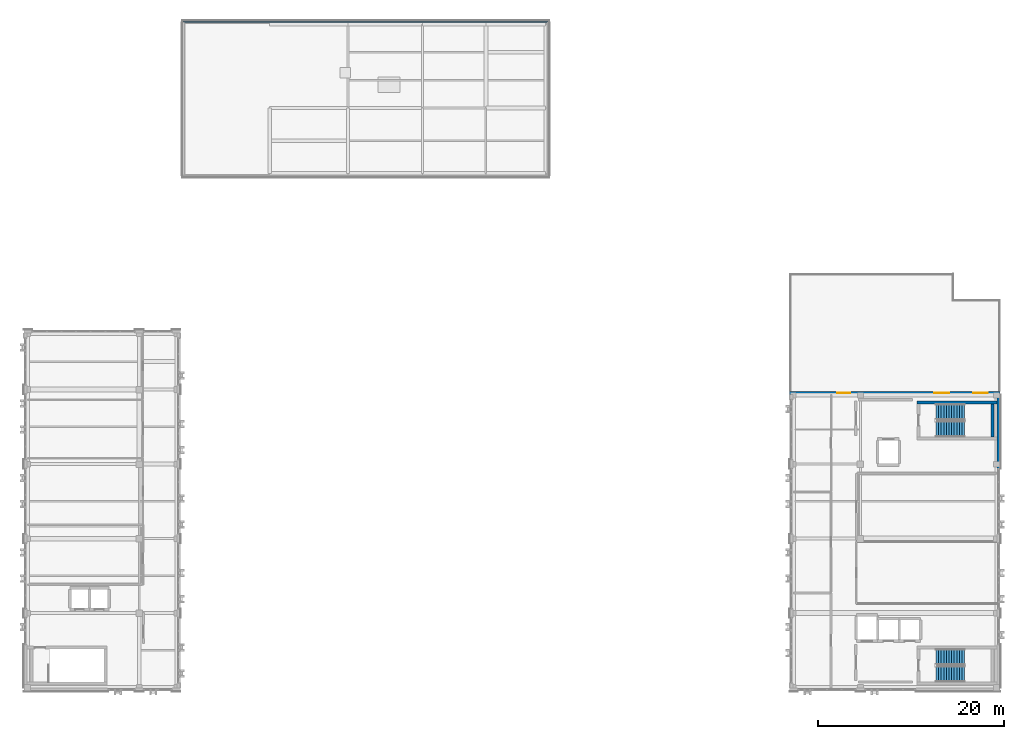
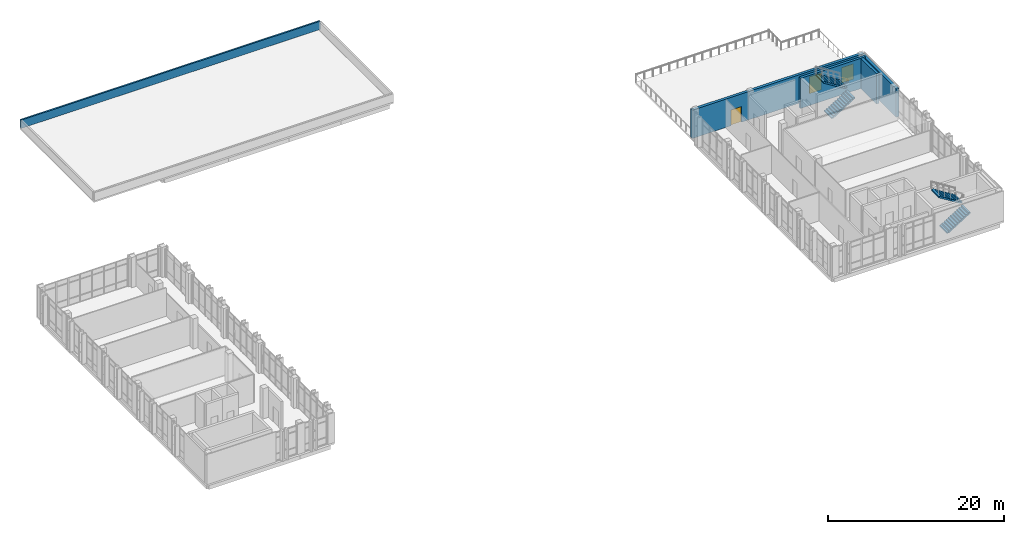
# One storey, part 39 of 48: 5 walls, 4 stair flights, 2 windows, 1 door, 3 openings, 2 elements without a shape of their own.
"""IFC4 building model written with IfcOpenShell, lengths in metres."""

from ifc_helpers import new_model, si_unit, direction, frame, frame_2d, origin, place, context, subcontext, project, spatial, polyline, rectangle, outline, extrude, material, layer, layer_set, type_object, element, fill, aggregate, save


model = new_model("IFC4")

# Units and contexts
model_context = context("Model", 3, precision=1e-05, world=origin(), true_north=direction((0.0, 1.0)))
body_context = subcontext(model_context, "Body", "Model", "MODEL_VIEW")
ifc_project = project(units=[si_unit("LENGTHUNIT", "METRE"), si_unit("AREAUNIT", "SQUARE_METRE"), si_unit("VOLUMEUNIT", "CUBIC_METRE"), si_unit("PLANEANGLEUNIT", "RADIAN"), si_unit("MASSUNIT", "GRAM", prefix="KILO")], contexts=[model_context])

# Site, building, storey
site_placement = place(None, origin())
site = spatial("IfcSite", under=ifc_project, at=site_placement, CompositionType="ELEMENT")
building_placement = place(site_placement, origin())
building = spatial("IfcBuilding", under=site, at=building_placement, Name="Qalavern Law Courts", CompositionType="ELEMENT")
storey_placement = place(building_placement, frame((0.0, 0.0, 31.199951171875)))
storey = spatial("IfcBuildingStorey", under=building, at=storey_placement, Name="L07", CompositionType="ELEMENT", Elevation=31.199951171875)

# Wall
ifc_material_1 = material(Name="Concrete C40/50", Category="concrete")
ifc_layer_1 = layer(ifc_material_1, 0.35498046875)
ifc_layer_set_1 = layer_set([ifc_layer_1], Name="Concrete C40/50")
wall_type_1 = type_object("IfcWallType", Name="ENV-EW-355", PredefinedType="SOLIDWALL", material=ifc_layer_set_1)
wall_1_placement = place(storey_placement, frame((106.62255859375, 64.89990234375, 0.0), z_axis=(0.0, 0.0, 1.0), x_axis=(0.0, 1.0, 0.0)))
element("IfcWall", 1, at=wall_1_placement, inside=storey, type_object=wall_type_1, Name="V4 exterior pier wall L07 east 4", PredefinedType="SOLIDWALL", context=body_context, shape_type="SweptSolid", body=[
    extrude(rectangle(XDim=7.9501953125, YDim=0.35498046875, at=frame_2d((3.97509765625, 0.0))), origin(), (0.0, 0.0, 1.0), 3.93994140625),
])

# Wall, openings, door, windows
wall_2_placement = place(storey_placement, frame((106.800048828125, 73.0224609375, 0.0), z_axis=(0.0, 0.0, 1.0), x_axis=(-1.0, 0.0, 0.0)))
wall_2 = element("IfcWall", 2, at=wall_2_placement, inside=storey, type_object=wall_type_1, Name="V4 exterior wall L07 north 1", PredefinedType="SOLIDWALL", context=body_context, shape_type="SweptSolid", body=[
    extrude(rectangle(XDim=22.60009765625, YDim=0.35498046875, at=frame_2d((11.300048828125, 0.0))), origin(), (0.0, 0.0, 1.0), 3.93994140625),
])
opening_1_placement = place(wall_2_placement, frame((16.1201171875, 0.0, 0.0)))
opening_1 = element("IfcOpeningElement", 3, at=opening_1_placement, cuts=wall_2, Name="Opening TD-V4-L07", PredefinedType="OPENING", context=body_context, shape_type="SweptSolid", body=[
    extrude(rectangle(XDim=1.360107421875, YDim=2.179931640625, at=frame_2d((0.68017578125, 1.08984375))), frame((0.0, 0.1923828125, 0.0), z_axis=(0.0, -1.0, 0.0), x_axis=(1.0, 0.0, 0.0)), (0.0, 0.0, 1.0), 0.384765625),
])
opening_2_placement = place(wall_2_placement, frame((1.324951171875, 0.0, 0.719970703125)))
opening_2 = element("IfcOpeningElement", 4, at=opening_2_placement, cuts=wall_2, Name="Opening WN-27", PredefinedType="OPENING", context=body_context, shape_type="SweptSolid", body=[
    extrude(rectangle(XDim=1.550048828125, YDim=2.14990234375, at=frame_2d((0.77490234375, 1.074951171875))), frame((0.0, 0.1923828125, 0.0), z_axis=(0.0, -1.0, 0.0), x_axis=(1.0, 0.0, 0.0)), (0.0, 0.0, 1.0), 0.384765625),
])
opening_3_placement = place(wall_2_placement, frame((5.5, 0.0, 0.719970703125)))
opening_3 = element("IfcOpeningElement", 5, at=opening_3_placement, cuts=wall_2, Name="Opening WN-34", PredefinedType="OPENING", context=body_context, shape_type="SweptSolid", body=[
    extrude(rectangle(XDim=1.60009765625, YDim=2.35009765625, at=frame_2d((0.800048828125, 1.175048828125))), frame((0.0, 0.1923828125, 0.0), z_axis=(0.0, -1.0, 0.0), x_axis=(1.0, 0.0, 0.0)), (0.0, 0.0, 1.0), 0.384765625),
])
ifc_material_2 = material(Name="Thermally broken anodised aluminium and laminated safety glass", Category="aluminium")
door_type = type_object("IfcDoorType", Name="ENV-TD-1360x2180", OperationType="DOUBLE_DOOR_SINGLE_SWING", PredefinedType="DOOR", material=ifc_material_2)
door_placement = place(opening_1_placement, frame((1.360107421875, 0.0, 0.0), z_axis=(0.0, 0.0, 1.0), x_axis=(-1.0, 0.0, 0.0)))
door = element("IfcDoor", 6, at=door_placement, inside=storey, type_object=door_type, Name="Outdoor terrace access door TD-V4-L07", OperationType="DOUBLE_DOOR_SINGLE_SWING", OverallHeight=2.179931640625, OverallWidth=1.360107421875, PredefinedType="DOOR", context=body_context, shape_type="SweptSolid", body=[
    extrude(rectangle(XDim=1.360107421875, YDim=2.179931640625, at=frame_2d((0.68017578125, 1.08984375))), frame((0.0, 0.02490234375, 0.0), z_axis=(0.0, -1.0, 0.0), x_axis=(1.0, 0.0, 0.0)), (0.0, 0.0, 1.0), 0.050048828125),
])
fill(opening_1, door)
ifc_material_3 = material(Name="Anodised aluminium frame with low-E double glazing", Category="aluminium")
window_type_1 = type_object("IfcWindowType", Name="ENV-WIN-1550x2150", PartitioningType="SINGLE_PANEL", PredefinedType="WINDOW", material=ifc_material_3)
window_1_placement = place(opening_2_placement, origin())
window_1 = element("IfcWindow", 7, at=window_1_placement, inside=storey, type_object=window_type_1, Name="V4 window L07 north 1", OverallHeight=2.14990234375, OverallWidth=1.550048828125, PartitioningType="SINGLE_PANEL", PredefinedType="WINDOW", context=body_context, shape_type="SweptSolid", body=[
    extrude(rectangle(XDim=1.550048828125, YDim=2.14990234375, at=frame_2d((0.77490234375, 1.074951171875))), frame((0.0, 0.030029296875, 0.0), z_axis=(0.0, -1.0, 0.0), x_axis=(1.0, 0.0, 0.0)), (0.0, 0.0, 1.0), 0.06005859375),
])
fill(opening_2, window_1)
window_type_2 = type_object("IfcWindowType", Name="ENV-WIN-1600x2350", PartitioningType="SINGLE_PANEL", PredefinedType="WINDOW", material=ifc_material_3)
window_2_placement = place(opening_3_placement, origin())
window_2 = element("IfcWindow", 8, at=window_2_placement, inside=storey, type_object=window_type_2, Name="V4 window L07 north 2", OverallHeight=2.35009765625, OverallWidth=1.60009765625, PartitioningType="SINGLE_PANEL", PredefinedType="WINDOW", context=body_context, shape_type="SweptSolid", body=[
    extrude(rectangle(XDim=1.60009765625, YDim=2.35009765625, at=frame_2d((0.800048828125, 1.175048828125))), frame((0.0, 0.030029296875, 0.0), z_axis=(0.0, -1.0, 0.0), x_axis=(1.0, 0.0, 0.0)), (0.0, 0.0, 1.0), 0.06005859375),
])
fill(opening_3, window_2)

# Walls
ifc_layer_2 = layer(ifc_material_1, 0.205078125)
ifc_layer_set_2 = layer_set([ifc_layer_2], Name="Concrete C40/50")
wall_type_2 = type_object("IfcWallType", Name="ENV-PAR-205", PredefinedType="PARAPET", material=ifc_layer_set_2)
wall_3_placement = place(storey_placement, frame((58.39990234375, 112.8974609375, 0.0), z_axis=(0.0, 0.0, 1.0), x_axis=(-1.0, 0.0, 0.0)))
element("IfcWall", 9, at=wall_3_placement, inside=storey, type_object=wall_type_2, Name="V5 roof parapet L07 N", PredefinedType="PARAPET", context=body_context, shape_type="SweptSolid", body=[
    extrude(rectangle(XDim=39.3798828125, YDim=0.205078125, at=frame_2d((19.68994140625, 0.0))), origin(), (0.0, 0.0, 1.0), 1.150146484375),
])
ifc_material_4 = material(Name="Concrete C45/55", Category="concrete")
ifc_layer_3 = layer(ifc_material_4, 0.3349609375)
ifc_layer_set_3 = layer_set([ifc_layer_3], Name="Concrete C45/55")
wall_type_3 = type_object("IfcWallType", Name="INT-CW-335", PredefinedType="SHEAR", material=ifc_layer_set_3)
wall_4_placement = place(storey_placement, frame((105.967529296875, 68.300048828125, 0.0), z_axis=(0.0, 0.0, 1.0), x_axis=(0.0, 1.0, 0.0)))
element("IfcWall", 10, at=wall_4_placement, inside=storey, type_object=wall_type_3, Name="Core K1B stair shear wall L07 east", PredefinedType="SHEAR", context=body_context, shape_type="SweptSolid", body=[
    extrude(rectangle(XDim=3.550048828125, YDim=0.3349609375, at=frame_2d((1.77490234375, 0.0))), origin(), (0.0, 0.0, 1.0), 4.199951171875),
])
wall_5_placement = place(storey_placement, frame((106.44189453125, 72.017578125, 0.0), z_axis=(0.0, 0.0, 1.0), x_axis=(-1.0, 0.0, 0.0)))
element("IfcWall", 11, at=wall_5_placement, inside=storey, type_object=wall_type_3, Name="Core K1B stair shear wall L07 north", PredefinedType="SHEAR", context=body_context, shape_type="SweptSolid", body=[
    extrude(rectangle(XDim=8.576904296875, YDim=0.3349609375, at=frame_2d((4.28857421875, 0.0))), origin(), (0.0, 0.0, 1.0), 4.199951171875),
])

# Stair, stair flights
ifc_material_5 = material(Name="Concrete C35/45", Category="concrete")
stair_type = type_object("IfcStairType", Name="INT-STAIR-1700", PredefinedType="HALF_TURN_STAIR", material=ifc_material_5)
stair_1_placement = place(storey_placement, origin())
stair_1 = element("IfcStair", 12, at=stair_1_placement, inside=storey, type_object=stair_type, Name="L07 ST-K1A", PredefinedType="HALF_TURN_STAIR")
stair_flight_type = type_object("IfcStairFlightType", Name="INT-FLIGHT-1700", PredefinedType="STRAIGHT", material=ifc_material_5)
stair_flight_1_placement = place(storey_placement, frame((99.89990234375, 42.85009765625, 0.0), z_axis=(0.0, 0.0, 1.0), x_axis=(1.0, 0.0, 0.0)))
stair_flight_1 = element("IfcStairFlight", 13, at=stair_flight_1_placement, type_object=stair_flight_type, Name="ST-K1A flight 1", NumberOfRisers=12, NumberOfTreads=11, PredefinedType="STRAIGHT", RiserHeight=0.175, TreadLength=0.28, context=body_context, shape_type="SweptSolid", body=[
    extrude(outline(polyline([(0.0, 0.0), (0.0, 0.175048828125), (0.280029296875, 0.175048828125), (0.280029296875, 0.35009765625), (0.56005859375, 0.35009765625), (0.56005859375, 0.52490234375), (0.840087890625, 0.52490234375), (0.840087890625, 0.699951171875), (1.1201171875, 0.699951171875), (1.1201171875, 0.875), (1.39990234375, 0.875), (1.39990234375, 1.050048828125), (1.679931640625, 1.050048828125), (1.679931640625, 1.22509765625), (1.9599609375, 1.22509765625), (1.9599609375, 1.39990234375), (2.239990234375, 1.39990234375), (2.239990234375, 1.574951171875), (2.52001953125, 1.574951171875), (2.52001953125, 1.75), (2.800048828125, 1.75), (2.800048828125, 1.925048828125), (3.080078125, 1.925048828125), (3.080078125, 2.10009765625), (3.080078125, 1.748291015625), (0.28271484375, 0.0), (0.0, 0.0)])), frame((0.0, 0.85009765625, 0.0), z_axis=(0.0, -1.0, 0.0), x_axis=(1.0, 0.0, 0.0)), (0.0, 0.0, 1.0), 1.699951171875),
])
stair_flight_2_placement = place(storey_placement, frame((102.97998046875, 44.699951171875, 2.10009765625), z_axis=(0.0, 0.0, 1.0), x_axis=(-1.0, 0.0, 0.0)))
stair_flight_2 = element("IfcStairFlight", 14, at=stair_flight_2_placement, type_object=stair_flight_type, Name="ST-K1A flight 2", NumberOfRisers=12, NumberOfTreads=11, PredefinedType="STRAIGHT", RiserHeight=0.175, TreadLength=0.28, context=body_context, shape_type="SweptSolid", body=[
    extrude(outline(polyline([(0.0, 0.0), (0.0, 0.175048828125), (0.280029296875, 0.175048828125), (0.280029296875, 0.35009765625), (0.56005859375, 0.35009765625), (0.56005859375, 0.52490234375), (0.840087890625, 0.52490234375), (0.840087890625, 0.699951171875), (1.1201171875, 0.699951171875), (1.1201171875, 0.875), (1.39990234375, 0.875), (1.39990234375, 1.050048828125), (1.679931640625, 1.050048828125), (1.679931640625, 1.22509765625), (1.9599609375, 1.22509765625), (1.9599609375, 1.39990234375), (2.239990234375, 1.39990234375), (2.239990234375, 1.574951171875), (2.52001953125, 1.574951171875), (2.52001953125, 1.75), (2.800048828125, 1.75), (2.800048828125, 1.925048828125), (3.080078125, 1.925048828125), (3.080078125, 2.10009765625), (3.080078125, 1.748291015625), (0.28271484375, 0.0), (0.0, 0.0)])), frame((0.0, 0.85009765625, 0.0), z_axis=(0.0, -1.0, 0.0), x_axis=(1.0, 0.0, 0.0)), (0.0, 0.0, 1.0), 1.699951171875),
])
aggregate(stair_1, [stair_flight_1, stair_flight_2])

stair_2_placement = place(storey_placement, origin())
stair_2 = element("IfcStair", 15, at=stair_2_placement, inside=storey, type_object=stair_type, Name="L07 ST-K1B", PredefinedType="HALF_TURN_STAIR")
stair_flight_3_placement = place(storey_placement, frame((99.89990234375, 69.14990234375, 0.0), z_axis=(0.0, 0.0, 1.0), x_axis=(1.0, 0.0, 0.0)))
stair_flight_3 = element("IfcStairFlight", 16, at=stair_flight_3_placement, type_object=stair_flight_type, Name="ST-K1B flight 1", NumberOfRisers=12, NumberOfTreads=11, PredefinedType="STRAIGHT", RiserHeight=0.175, TreadLength=0.28, context=body_context, shape_type="SweptSolid", body=[
    extrude(outline(polyline([(0.0, 0.0), (0.0, 0.175048828125), (0.280029296875, 0.175048828125), (0.280029296875, 0.35009765625), (0.56005859375, 0.35009765625), (0.56005859375, 0.52490234375), (0.840087890625, 0.52490234375), (0.840087890625, 0.699951171875), (1.1201171875, 0.699951171875), (1.1201171875, 0.875), (1.39990234375, 0.875), (1.39990234375, 1.050048828125), (1.679931640625, 1.050048828125), (1.679931640625, 1.22509765625), (1.9599609375, 1.22509765625), (1.9599609375, 1.39990234375), (2.239990234375, 1.39990234375), (2.239990234375, 1.574951171875), (2.52001953125, 1.574951171875), (2.52001953125, 1.75), (2.800048828125, 1.75), (2.800048828125, 1.925048828125), (3.080078125, 1.925048828125), (3.080078125, 2.10009765625), (3.080078125, 1.748291015625), (0.28271484375, 0.0), (0.0, 0.0)])), frame((0.0, 0.85009765625, 0.0), z_axis=(0.0, -1.0, 0.0), x_axis=(1.0, 0.0, 0.0)), (0.0, 0.0, 1.0), 1.699951171875),
])
stair_flight_4_placement = place(storey_placement, frame((102.97998046875, 71.0, 2.10009765625), z_axis=(0.0, 0.0, 1.0), x_axis=(-1.0, 0.0, 0.0)))
stair_flight_4 = element("IfcStairFlight", 17, at=stair_flight_4_placement, type_object=stair_flight_type, Name="ST-K1B flight 2", NumberOfRisers=12, NumberOfTreads=11, PredefinedType="STRAIGHT", RiserHeight=0.175, TreadLength=0.28, context=body_context, shape_type="SweptSolid", body=[
    extrude(outline(polyline([(0.0, 0.0), (0.0, 0.175048828125), (0.280029296875, 0.175048828125), (0.280029296875, 0.35009765625), (0.56005859375, 0.35009765625), (0.56005859375, 0.52490234375), (0.840087890625, 0.52490234375), (0.840087890625, 0.699951171875), (1.1201171875, 0.699951171875), (1.1201171875, 0.875), (1.39990234375, 0.875), (1.39990234375, 1.050048828125), (1.679931640625, 1.050048828125), (1.679931640625, 1.22509765625), (1.9599609375, 1.22509765625), (1.9599609375, 1.39990234375), (2.239990234375, 1.39990234375), (2.239990234375, 1.574951171875), (2.52001953125, 1.574951171875), (2.52001953125, 1.75), (2.800048828125, 1.75), (2.800048828125, 1.925048828125), (3.080078125, 1.925048828125), (3.080078125, 2.10009765625), (3.080078125, 1.748291015625), (0.28271484375, 0.0), (0.0, 0.0)])), frame((0.0, 0.85009765625, 0.0), z_axis=(0.0, -1.0, 0.0), x_axis=(1.0, 0.0, 0.0)), (0.0, 0.0, 1.0), 1.699951171875),
])
aggregate(stair_2, [stair_flight_3, stair_flight_4])

save(model, "model.ifc")
